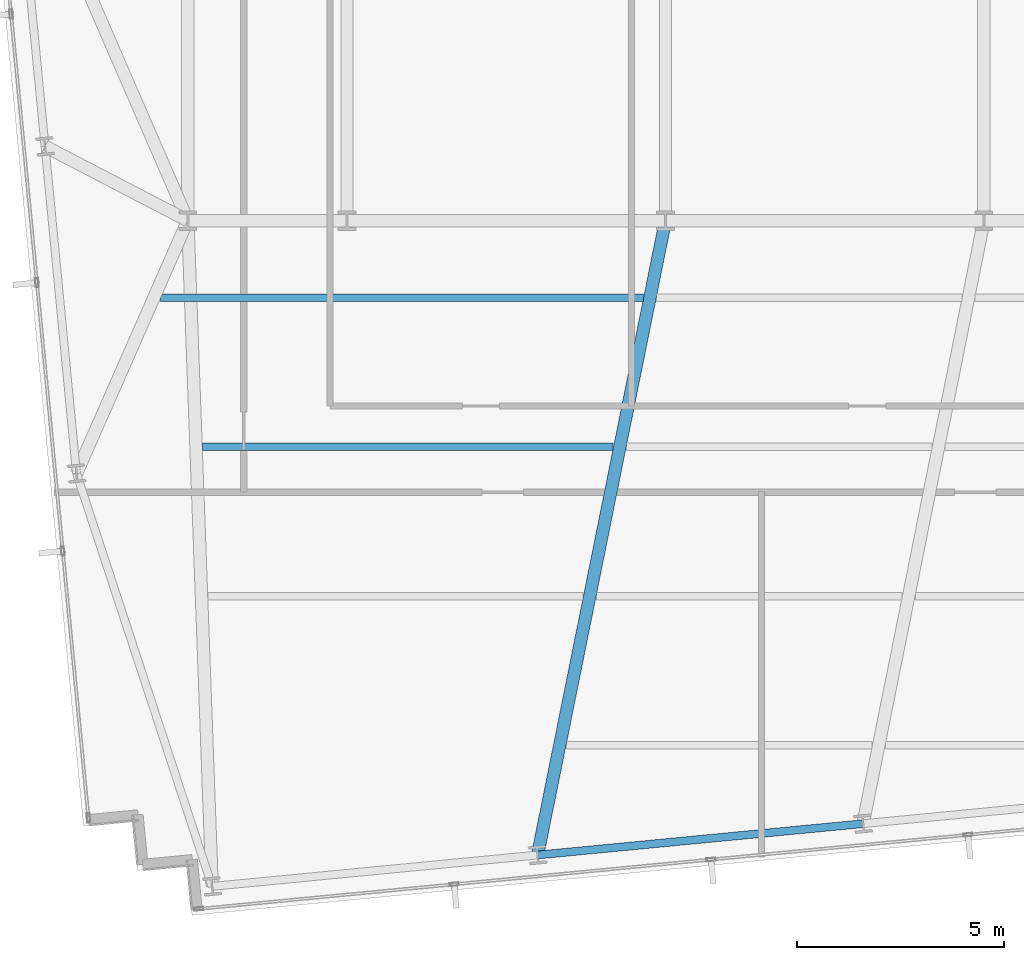
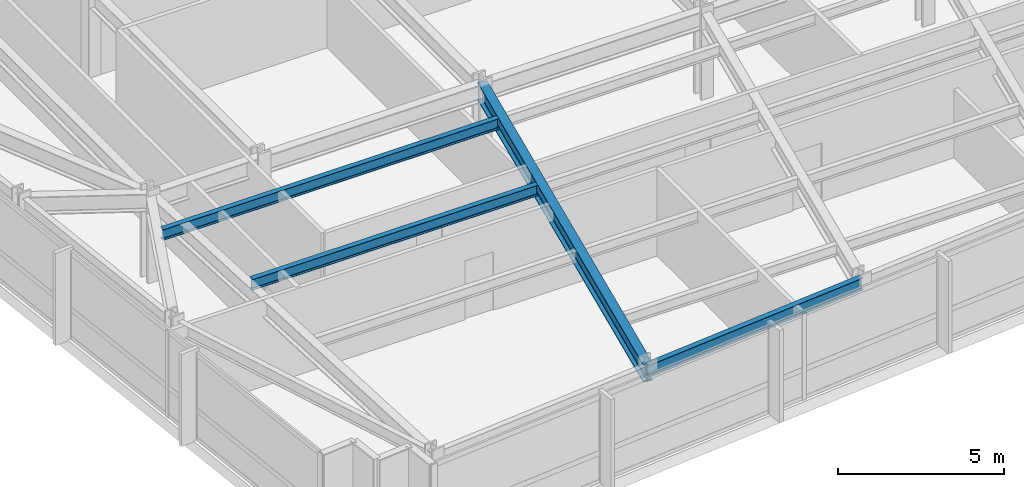
# One storey, part 4 of 33: 4 beams.
"""IFC4 building model written with IfcOpenShell, lengths in metres."""

import ifcopenshell
import ifcopenshell.guid

model = None  # the IFC model being written
_history = None  # IfcOwnerHistory: only IFC2X3 demands one
_inside = {}  # id of a spatial element -> (the spatial element, [elements in it])
_under = {}  # id of a project, library or spatial element -> (it, [spatial elements below it])
_declared = {}  # id of a project -> (the project, [libraries it declares])
_typed = {}  # id of a type object -> (the type object, [elements of that type])
_made_of = {}  # id of a material, layer set ... -> (it, [elements and type objects made of it])


def new_model(schema):
    """Start an empty IFC model of exactly this schema.

    Asked for "IFC4X3", IfcOpenShell would pick the latest addendum, in which some entities
    have other attributes; the version numbers below select the first issue.
    IFC2X3 requires an IfcOwnerHistory on every rooted entity: one is made here for all.
    """
    global model, _history
    if schema == "IFC4X3":
        model = ifcopenshell.file(schema_version=(4, 3, 0, 0))
    else:
        model = ifcopenshell.file(schema=schema)
    _inside.clear()
    _under.clear()
    _declared.clear()
    _typed.clear()
    _made_of.clear()
    _history = None
    if model.schema == "IFC2X3":
        org = make("IfcOrganization", Name="unknown")
        user = make(
            "IfcPersonAndOrganization",
            ThePerson=make("IfcPerson", FamilyName="unknown"),
            TheOrganization=org,
        )
        app = make(
            "IfcApplication",
            ApplicationDeveloper=org,
            Version="unknown",
            ApplicationFullName="unknown",
            ApplicationIdentifier="unknown",
        )
        _history = make(
            "IfcOwnerHistory",
            OwningUser=user,
            OwningApplication=app,
            ChangeAction="ADDED",
            CreationDate=0,
        )
    return model


def make(cls, **values):
    """One entity of the class cls with the attributes given. An attribute that is None is left unset."""
    return model.create_entity(
        cls, **{name: value for name, value in values.items() if value is not None}
    )


def rooted(cls, **values):
    """An entity with a GlobalId (a new one), such as an element, a storey or a relation."""
    return make(cls, GlobalId=ifcopenshell.guid.new(), OwnerHistory=_history, **values)


def si_unit(unit_type, name, prefix=None):
    """IfcSIUnit, for example si_unit("LENGTHUNIT", "METRE", prefix="MILLI")."""
    return make("IfcSIUnit", UnitType=unit_type, Prefix=prefix, Name=name)


def assignment(units):
    """IfcUnitAssignment: the units of a project."""
    return None if units is None else make("IfcUnitAssignment", Units=units)


def point(xyz):
    """IfcCartesianPoint."""
    return None if xyz is None else make("IfcCartesianPoint", Coordinates=xyz)


def direction(xyz):
    """IfcDirection."""
    return None if xyz is None else make("IfcDirection", DirectionRatios=xyz)


def frame(location, z_axis=None, x_axis=None):
    """IfcAxis2Placement3D, a coordinate frame: its origin and axes. An axis left out is left unset."""
    return make(
        "IfcAxis2Placement3D",
        Location=point(location),
        Axis=direction(z_axis),
        RefDirection=direction(x_axis),
    )


def frame_2d(location, x_axis=None):
    """IfcAxis2Placement2D, a coordinate frame in the plane: its origin and x axis."""
    return make(
        "IfcAxis2Placement2D", Location=point(location), RefDirection=direction(x_axis)
    )


def origin():
    """The frame at (0, 0, 0) with its axes left unset."""
    return frame((0.0, 0.0, 0.0))


def origin_2d():
    """The frame at (0, 0) in the plane with its x axis left unset."""
    return frame_2d((0.0, 0.0))


def place(relative_to, where):
    """IfcLocalPlacement: puts the frame where relative to a parent placement (None: the world)."""
    return make(
        "IfcLocalPlacement", PlacementRelTo=relative_to, RelativePlacement=where
    )


def context(
    kind, dimensions, precision=None, world=None, true_north=None, identifier=None
):
    """IfcGeometricRepresentationContext, for example the 3D "Model" context."""
    return make(
        "IfcGeometricRepresentationContext",
        ContextIdentifier=identifier,
        ContextType=kind,
        CoordinateSpaceDimension=dimensions,
        Precision=precision,
        WorldCoordinateSystem=world,
        TrueNorth=true_north,
    )


def subcontext(parent, identifier, kind, view, scale=None):
    """IfcGeometricRepresentationSubContext, for example "Body" below "Model"."""
    return make(
        "IfcGeometricRepresentationSubContext",
        ContextIdentifier=identifier,
        ContextType=kind,
        ParentContext=parent,
        TargetScale=scale,
        TargetView=view,
    )


def project(units=None, contexts=None):
    """IfcProject with its units and contexts."""
    return rooted(
        "IfcProject",
        Name="project",
        RepresentationContexts=contexts,
        UnitsInContext=assignment(units),
    )


def spatial(cls, under=None, at=None, **own):
    """A site, building, storey or space (cls), placed at a placement, below another one or the project."""
    s = rooted(cls, ObjectPlacement=at, **own)
    if under is not None:
        _under.setdefault(under.id(), (under, []))[1].append(s)
    return s


def profile(cls, at=None, kind="AREA", **sizes):
    """A parametric profile (cls). Its sizes go by their IFC names, for example OverallWidth=200.0."""
    return make(cls, ProfileType=kind, Position=at, **sizes)


def i_section(**sizes):
    """IfcIShapeProfileDef."""
    return profile("IfcIShapeProfileDef", **sizes)


def extrude(swept, where, along, depth):
    """IfcExtrudedAreaSolid: the profile swept, set in the frame where, extruded along a direction by depth."""
    return make(
        "IfcExtrudedAreaSolid",
        SweptArea=swept,
        Position=where,
        ExtrudedDirection=direction(along),
        Depth=depth,
    )


def shape(context_of_items, identifier, shape_type, items):
    """IfcShapeRepresentation: the items that make up one representation, for example the "Body"."""
    return make(
        "IfcShapeRepresentation",
        ContextOfItems=context_of_items,
        RepresentationIdentifier=identifier,
        RepresentationType=shape_type,
        Items=items,
    )


def material(Name=None, Category=None):
    """IfcMaterial."""
    return make("IfcMaterial", Name=Name, Category=Category)


def material_profile(
    of_material, cross_section, Name=None, Category=None, Priority=None
):
    """IfcMaterialProfile: a cross section and its material."""
    return make(
        "IfcMaterialProfile",
        Name=Name,
        Material=of_material,
        Profile=cross_section,
        Priority=Priority,
        Category=Category,
    )


def profile_set(profiles, Name=None, composite=None):
    """IfcMaterialProfileSet."""
    return make(
        "IfcMaterialProfileSet",
        Name=Name,
        MaterialProfiles=profiles,
        CompositeProfile=composite,
    )


def made_of(thing, what):
    """Note that an element or type object is made of a material, layer set ...; save() writes the relation."""
    if what is not None:
        _made_of.setdefault(what.id(), (what, []))[1].append(thing)
    return thing


def type_object(cls, material=None, **own):
    """A type object (cls), such as IfcWallType, which elements share."""
    return made_of(rooted(cls, **own), material)


def element(
    cls,
    number,
    at=None,
    inside=None,
    cuts=None,
    type_object=None,
    material=None,
    context=None,
    identifier="Body",
    shape_type=None,
    held_by="IfcProductDefinitionShape",
    body=None,
    shapes=None,
    **own,
):
    """One element of the class cls, such as IfcWall. Its Tag is "e" and its number.

    at: its placement. inside: the storey or other place that contains it. cuts: it is an
    opening in that element (IfcRelVoidsElement). A single representation is given by context,
    identifier, shape_type and body (its items); several are given by shapes. held_by: the class
    of the entity that holds the representations. save() writes the other relations.
    """
    e = rooted(cls, Tag="e%d" % number, ObjectPlacement=at, **own)
    if body is not None:
        shapes = [shape(context, identifier, shape_type, body)]
    if shapes is not None:
        e.Representation = make(held_by, Representations=shapes)
    if inside is not None:
        _inside.setdefault(inside.id(), (inside, []))[1].append(e)
    if cuts is not None:
        rooted(
            "IfcRelVoidsElement", RelatingBuildingElement=cuts, RelatedOpeningElement=e
        )
    if type_object is not None:
        _typed.setdefault(type_object.id(), (type_object, []))[1].append(e)
    return made_of(e, material)


def aggregate(whole, parts):
    """IfcRelAggregates: a whole, such as a stair, and the parts it consists of."""
    return rooted("IfcRelAggregates", RelatingObject=whole, RelatedObjects=parts)


def save(model, path):
    """Write the relations noted so far, then the file.

    IfcRelAggregates (storeys below a building ...), IfcRelContainedInSpatialStructure (elements
    in a storey), IfcRelDefinesByType, IfcRelAssociatesMaterial and IfcRelDeclares: one each for
    every whole, place, type object, material and project.
    """
    for whole, parts in _under.values():
        aggregate(whole, parts)
    for where, things in _inside.values():
        rooted(
            "IfcRelContainedInSpatialStructure",
            RelatedElements=things,
            RelatingStructure=where,
        )
    for kind, things in _typed.values():
        rooted("IfcRelDefinesByType", RelatedObjects=things, RelatingType=kind)
    for what, things in _made_of.values():
        rooted("IfcRelAssociatesMaterial", RelatedObjects=things, RelatingMaterial=what)
    for by, libraries in _declared.values():
        rooted("IfcRelDeclares", RelatingContext=by, RelatedDefinitions=libraries)
    model.write(path)


model = new_model("IFC4")

# Units and contexts
model_context = context("Model", 3, precision=1e-05, world=origin(), true_north=direction((0.0, 1.0)))
body_context = subcontext(model_context, "Body", "Model", "MODEL_VIEW")
ifc_project = project(units=[si_unit("LENGTHUNIT", "METRE"), si_unit("AREAUNIT", "SQUARE_METRE"), si_unit("VOLUMEUNIT", "CUBIC_METRE"), si_unit("PLANEANGLEUNIT", "RADIAN"), si_unit("MASSUNIT", "GRAM", prefix="KILO")], contexts=[model_context])

# Site, building, storey
site_placement = place(None, origin())
site = spatial("IfcSite", under=ifc_project, at=site_placement, CompositionType="ELEMENT")
building_placement = place(site_placement, origin())
building = spatial("IfcBuilding", under=site, at=building_placement, Name="Yelkora Congress Tower", CompositionType="ELEMENT")
storey_placement = place(building_placement, frame((0.0, 0.0, 89.699951171875)))
storey = spatial("IfcBuildingStorey", under=building, at=storey_placement, Name="L23", CompositionType="ELEMENT", Elevation=89.699951171875)

# Beams
ifc_material = material(Name="Steel S355J2", Category="steel")
ifc_material_profile_1 = material_profile(ifc_material, i_section(OverallWidth=0.300048828125, OverallDepth=0.64990234375, WebThickness=0.01611328125, FlangeThickness=0.031005859375, FilletRadius=0.027099609375, at=origin_2d()), Name="HEB 650")
ifc_profile_set_1 = profile_set([ifc_material_profile_1], Name="Steel S355J2")
beam_type_1 = type_object("IfcBeamType", Name="BM-GIRD-HEB650", PredefinedType="BEAM", material=ifc_profile_set_1)
beam_1_placement = place(storey_placement, frame((27.635498046875, 9.900146484375, 2.85498046875), z_axis=(0.197625995154, 0.980277494406, 0.0), x_axis=(-0.980277494406, 0.197625995154, 0.0)))
element("IfcBeam", 1, at=beam_1_placement, inside=storey, type_object=beam_type_1, Name="L23 Primary Frame Girder S02", PredefinedType="BEAM", context=body_context, shape_type="SweptSolid", body=[
    extrude(i_section(OverallWidth=0.300048828125, OverallDepth=0.64990234375, WebThickness=0.01611328125, FlangeThickness=0.031005859375, FilletRadius=0.027099609375, at=origin_2d()), origin(), (0.0, 0.0, 1.0), 15.607666015625),
])
ifc_material_profile_2 = material_profile(ifc_material, i_section(OverallWidth=0.179931640625, OverallDepth=0.39990234375, WebThickness=0.008544921875, FlangeThickness=0.013427734375, FilletRadius=0.02099609375, at=origin_2d()), Name="IPE 400")
ifc_profile_set_2 = profile_set([ifc_material_profile_2], Name="Steel S355J2")
beam_type_2 = type_object("IfcBeamType", Name="BM-JOIST-IPE400", PredefinedType="JOIST", material=ifc_profile_set_2)
beam_2_placement = place(storey_placement, frame((19.55908203125, 19.744384765625, 2.97998046875), z_axis=(1.0, 0.0, 0.0), x_axis=(0.0, 1.0, 0.0)))
element("IfcBeam", 2, at=beam_2_placement, inside=storey, type_object=beam_type_2, Name="L23 Composite Floor Joist 11", PredefinedType="JOIST", context=body_context, shape_type="SweptSolid", body=[
    extrude(i_section(OverallWidth=0.179931640625, OverallDepth=0.39990234375, WebThickness=0.008544921875, FlangeThickness=0.013427734375, FilletRadius=0.02099609375, at=origin_2d()), origin(), (0.0, 0.0, 1.0), 9.901123046875),
])
beam_3_placement = place(storey_placement, frame((18.54345703125, 23.344482421875, 2.97998046875), z_axis=(1.0, 0.0, 0.0), x_axis=(0.0, 1.0, 0.0)))
element("IfcBeam", 3, at=beam_3_placement, inside=storey, type_object=beam_type_2, Name="L23 Composite Floor Joist 18", PredefinedType="JOIST", context=body_context, shape_type="SweptSolid", body=[
    extrude(i_section(OverallWidth=0.179931640625, OverallDepth=0.39990234375, WebThickness=0.008544921875, FlangeThickness=0.013427734375, FilletRadius=0.02099609375, at=origin_2d()), origin(), (0.0, 0.0, 1.0), 11.642333984375),
])
ifc_material_profile_3 = material_profile(ifc_material, i_section(OverallWidth=0.18994140625, OverallDepth=0.449951171875, WebThickness=0.009521484375, FlangeThickness=0.0146484375, FilletRadius=0.02099609375, at=origin_2d()), Name="IPE 450")
ifc_profile_set_3 = profile_set([ifc_material_profile_3], Name="Steel S355J2")
beam_type_3 = type_object("IfcBeamType", Name="BM-SPAN-IPE450", PredefinedType="SPANDREL", material=ifc_profile_set_3)
beam_4_placement = place(storey_placement, frame((27.635498046875, 9.900146484375, 2.955078125), z_axis=(0.995395575667, 0.095852219286, 0.0), x_axis=(-0.095852219286, 0.995395575667, 0.0)))
element("IfcBeam", 4, at=beam_4_placement, inside=storey, type_object=beam_type_3, Name="L23 Perimeter Beam 4", PredefinedType="SPANDREL", context=body_context, shape_type="SweptSolid", body=[
    extrude(i_section(OverallWidth=0.18994140625, OverallDepth=0.449951171875, WebThickness=0.009521484375, FlangeThickness=0.0146484375, FilletRadius=0.02099609375, at=origin_2d()), origin(), (0.0, 0.0, 1.0), 7.8857421875),
])

save(model, "model.ifc")
